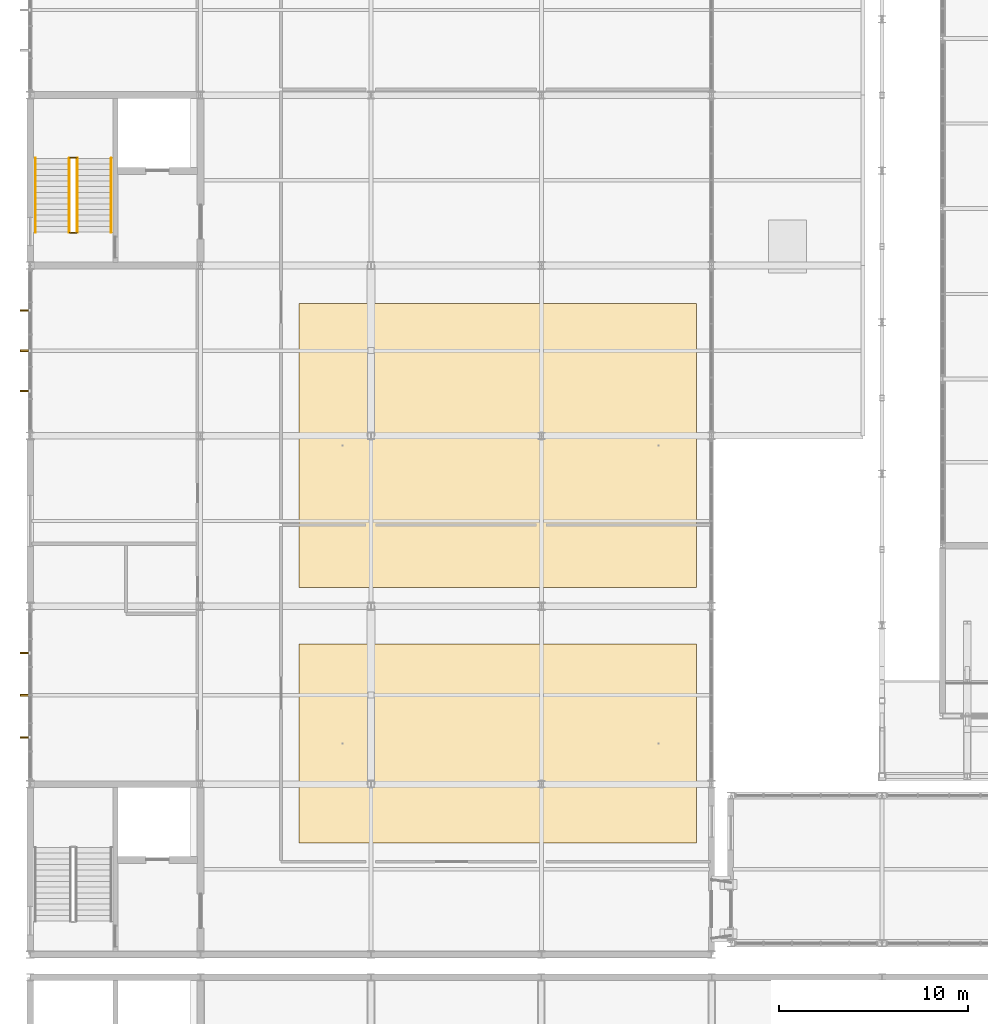
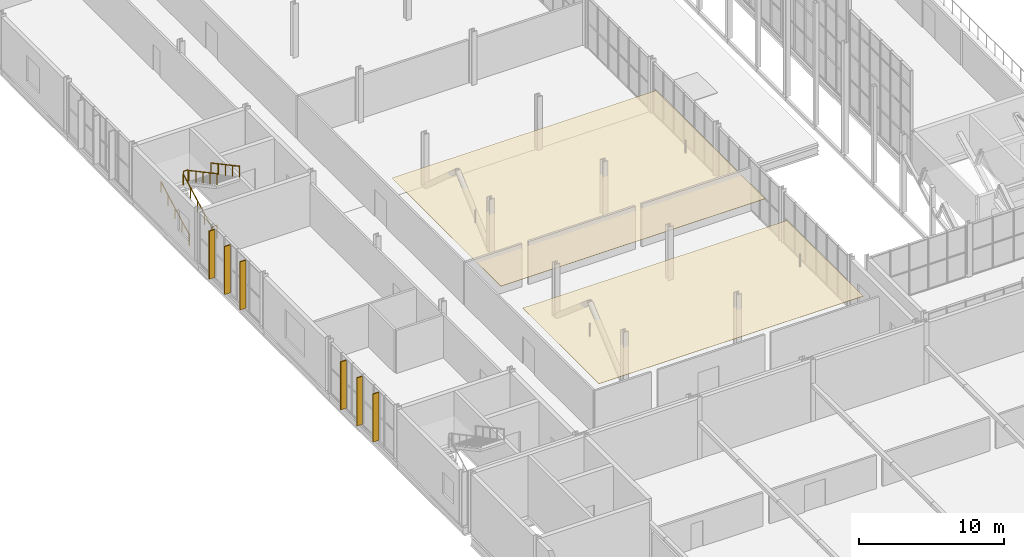
# One storey, part 129 of 134: 6 railings, 6 shading devices, 2 coverings.
"""IFC4 building model written with IfcOpenShell, lengths in metres."""

from ifc_helpers import new_model, si_unit, direction, frame, origin, origin_2d, place, context, subcontext, project, spatial, polyline, rectangle, circle, outline, extrude, material, layer, layer_set, type_object, element, save


model = new_model("IFC4")

# Units and contexts
model_context = context("Model", 3, precision=1e-05, world=origin(), true_north=direction((0.0, 1.0)))
body_context = subcontext(model_context, "Body", "Model", "MODEL_VIEW")
ifc_project = project(units=[si_unit("LENGTHUNIT", "METRE"), si_unit("AREAUNIT", "SQUARE_METRE"), si_unit("VOLUMEUNIT", "CUBIC_METRE"), si_unit("PLANEANGLEUNIT", "RADIAN"), si_unit("MASSUNIT", "GRAM", prefix="KILO")], contexts=[model_context])

# Site, building, storey
site_placement = place(None, origin())
site = spatial("IfcSite", under=ifc_project, at=site_placement, CompositionType="ELEMENT")
building_placement = place(site_placement, origin())
building = spatial("IfcBuilding", under=site, at=building_placement, Name="Cazmaro Siding Exhibition Halls", CompositionType="ELEMENT")
storey_placement = place(building_placement, frame((0.0, 0.0, 12.0)))
storey = spatial("IfcBuildingStorey", under=building, at=storey_placement, Name="L02", CompositionType="ELEMENT", Elevation=12.0)

# Coverings
ifc_material_1 = material(Name="Perforated Micro-Slotted Acoustic Timber Ceiling Cloud", Category="wood")
ifc_layer = layer(ifc_material_1, 0.02490234375)
ifc_layer_set = layer_set([ifc_layer], Name="Perforated Micro-Slotted Acoustic Timber Ceiling Cloud")
covering_type = type_object("IfcCoveringType", Name="COV-CEIL-01", PredefinedType="CEILING", material=ifc_layer_set)
covering_1_placement = place(storey_placement, frame((0.0, 0.0, 3.199951171875)))
element("IfcCovering", 1, at=covering_1_placement, inside=storey, type_object=covering_type, Name="Acoustic Timber Ceiling Cloud 005", PredefinedType="CEILING", context=body_context, shape_type="SweptSolid", body=[
    extrude(outline(polyline([(14.199951171875, 60.5), (35.199951171875, 60.5), (35.199951171875, 71.0), (14.199951171875, 71.0), (14.199951171875, 60.5)])), origin(), (0.0, 0.0, 1.0), 0.025146484375),
])
covering_2_placement = place(storey_placement, frame((0.0, 0.0, 3.199951171875)))
element("IfcCovering", 2, at=covering_2_placement, inside=storey, type_object=covering_type, Name="Acoustic Timber Ceiling Cloud 006", PredefinedType="CEILING", context=body_context, shape_type="SweptSolid", body=[
    extrude(outline(polyline([(14.199951171875, 74.0), (35.199951171875, 74.0), (35.199951171875, 89.0), (14.199951171875, 89.0), (14.199951171875, 74.0)])), origin(), (0.0, 0.0, 1.0), 0.025146484375),
])

# Railings
ifc_material_2 = material(Name="Painted Steel Stairwell Guardrail", Category="steel")
railing_type_1 = type_object("IfcRailingType", Name="RL-GRD-01", PredefinedType="GUARDRAIL", material=ifc_material_2)
for number, where, name in (
    (3, (2.094970703125, 92.739990234375, 0.0), "Core C8 L02 Landing Slot Guard RL-GRD-01 RL-SG038"),
    (4, (2.094970703125, 96.699951171875, 2.25), "ST-20 Mid-Landing Slot Guard RL-GRD-01 RL-SG039"),
):
    element("IfcRailing", number, at=place(storey_placement, frame(where)), inside=storey, type_object=railing_type_1, Name=name, PredefinedType="GUARDRAIL", context=body_context, shape_type="SweptSolid", body=[
        extrude(circle(Radius=0.02392578125, at=origin_2d()), frame((0.0, 0.0, 1.09619140625), z_axis=(1.0, 0.0, 0.0), x_axis=(0.0, 1.0, 0.0)), (0.0, 0.0, 1.0), 0.364990234375),
        extrude(circle(Radius=0.02099609375, at=origin_2d()), origin(), (0.0, 0.0, 1.0), 1.072021484375),
        extrude(circle(Radius=0.02099609375, at=origin_2d()), frame((0.364990234375, 0.0, 0.0)), (0.0, 0.0, 1.0), 1.072021484375),
    ])
ifc_material_3 = material(Name="Brushed Stainless Steel Tubular Handrail", Category="steel")
railing_type_2 = type_object("IfcRailingType", Name="RL-HR-01", PredefinedType="HANDRAIL", material=ifc_material_3)
railing_1_placement = place(storey_placement, frame((0.280029296875, 92.760009765625, 0.160888671875)))
element("IfcRailing", 5, at=railing_1_placement, inside=storey, type_object=railing_type_2, Name="ST-20 Flight 1 Handrail 1", PredefinedType="HANDRAIL", context=body_context, shape_type="SweptSolid", body=[
    extrude(circle(Radius=0.02392578125, at=origin_2d()), frame((0.0, 0.0, 0.89599609375), z_axis=(0.0, 0.881491454809, 0.472199973632), x_axis=(-1.0, 0.0, 0.0)), (0.0, 0.0, 1.0), 4.42431640625),
    extrude(circle(Radius=0.02099609375, at=origin_2d()), origin(), (0.0, 0.0, 1.0), 0.871826171875),
    extrude(circle(Radius=0.02099609375, at=origin_2d()), frame((0.0, 0.97509765625, 0.522216796875)), (0.0, 0.0, 1.0), 0.871826171875),
    extrude(circle(Radius=0.02099609375, at=origin_2d()), frame((0.0, 1.949951171875, 1.04443359375)), (0.0, 0.0, 1.0), 0.871826171875),
    extrude(circle(Radius=0.02099609375, at=origin_2d()), frame((0.0, 2.9248046875, 1.56689453125)), (0.0, 0.0, 1.0), 0.871826171875),
    extrude(circle(Radius=0.02099609375, at=origin_2d()), frame((0.0, 3.89990234375, 2.089111328125)), (0.0, 0.0, 1.0), 0.871826171875),
])
railing_2_placement = place(storey_placement, frame((2.4951171875, 96.659912109375, 2.410888671875)))
element("IfcRailing", 6, at=railing_2_placement, inside=storey, type_object=railing_type_2, Name="ST-20 Flight 2 Handrail 1", PredefinedType="HANDRAIL", context=body_context, shape_type="SweptSolid", body=[
    extrude(circle(Radius=0.02392578125, at=origin_2d()), frame((0.0, 0.0, 0.89599609375), z_axis=(0.0, -0.881491454809, 0.472199973632), x_axis=(1.0, 0.0, 0.0)), (0.0, 0.0, 1.0), 4.42431640625),
    extrude(circle(Radius=0.02099609375, at=origin_2d()), origin(), (0.0, 0.0, 1.0), 0.871826171875),
    extrude(circle(Radius=0.02099609375, at=origin_2d()), frame((0.0, -0.97509765625, 0.522216796875)), (0.0, 0.0, 1.0), 0.871826171875),
    extrude(circle(Radius=0.02099609375, at=origin_2d()), frame((0.0, -1.949951171875, 1.04443359375)), (0.0, 0.0, 1.0), 0.871826171875),
    extrude(circle(Radius=0.02099609375, at=origin_2d()), frame((0.0, -2.9248046875, 1.56689453125)), (0.0, 0.0, 1.0), 0.871826171875),
    extrude(circle(Radius=0.02099609375, at=origin_2d()), frame((0.0, -3.89990234375, 2.089111328125)), (0.0, 0.0, 1.0), 0.871826171875),
])
railing_3_placement = place(storey_placement, frame((2.06005859375, 92.760009765625, 0.160888671875)))
element("IfcRailing", 7, at=railing_3_placement, inside=storey, type_object=railing_type_2, Name="ST-20 Flight 1 Handrail 2", PredefinedType="HANDRAIL", context=body_context, shape_type="SweptSolid", body=[
    extrude(circle(Radius=0.02392578125, at=origin_2d()), frame((0.0, 0.0, 0.89599609375), z_axis=(0.0, 0.881491454809, 0.472199973632), x_axis=(-1.0, 0.0, 0.0)), (0.0, 0.0, 1.0), 4.42431640625),
    extrude(circle(Radius=0.02099609375, at=origin_2d()), origin(), (0.0, 0.0, 1.0), 0.871826171875),
    extrude(circle(Radius=0.02099609375, at=origin_2d()), frame((0.0, 0.97509765625, 0.522216796875)), (0.0, 0.0, 1.0), 0.871826171875),
    extrude(circle(Radius=0.02099609375, at=origin_2d()), frame((0.0, 1.949951171875, 1.04443359375)), (0.0, 0.0, 1.0), 0.871826171875),
    extrude(circle(Radius=0.02099609375, at=origin_2d()), frame((0.0, 2.9248046875, 1.56689453125)), (0.0, 0.0, 1.0), 0.871826171875),
    extrude(circle(Radius=0.02099609375, at=origin_2d()), frame((0.0, 3.89990234375, 2.089111328125)), (0.0, 0.0, 1.0), 0.871826171875),
])
railing_4_placement = place(storey_placement, frame((4.27490234375, 96.659912109375, 2.410888671875)))
element("IfcRailing", 8, at=railing_4_placement, inside=storey, type_object=railing_type_2, Name="ST-20 Flight 2 Handrail 2", PredefinedType="HANDRAIL", context=body_context, shape_type="SweptSolid", body=[
    extrude(circle(Radius=0.02392578125, at=origin_2d()), frame((0.0, 0.0, 0.89599609375), z_axis=(0.0, -0.881491454809, 0.472199973632), x_axis=(1.0, 0.0, 0.0)), (0.0, 0.0, 1.0), 4.42431640625),
    extrude(circle(Radius=0.02099609375, at=origin_2d()), origin(), (0.0, 0.0, 1.0), 0.871826171875),
    extrude(circle(Radius=0.02099609375, at=origin_2d()), frame((0.0, -0.97509765625, 0.522216796875)), (0.0, 0.0, 1.0), 0.871826171875),
    extrude(circle(Radius=0.02099609375, at=origin_2d()), frame((0.0, -1.949951171875, 1.04443359375)), (0.0, 0.0, 1.0), 0.871826171875),
    extrude(circle(Radius=0.02099609375, at=origin_2d()), frame((0.0, -2.9248046875, 1.56689453125)), (0.0, 0.0, 1.0), 0.871826171875),
    extrude(circle(Radius=0.02099609375, at=origin_2d()), frame((0.0, -3.89990234375, 2.089111328125)), (0.0, 0.0, 1.0), 0.871826171875),
])

# Shading devices
ifc_material_4 = material(Name="Extruded Kiln-Fired Terracotta Sunshade Louver", Category="concrete")
shading_device_type = type_object("IfcShadingDeviceType", Name="SHD-TC-01", PredefinedType="USERDEFINED", material=ifc_material_4)
for number, where, z_axis, x_axis, name in (
    (9, (-0.31494140625, 66.072998046875, 0.125), (0.0, 0.0, 1.0), (1.0, 0.0, 0.0), "Extruded Terracotta Vertical Sunshade Fin SHD-01 025"),
    (10, (-0.31494140625, 68.300048828125, 0.125), (0.0, 0.0, 1.0), (1.0, 0.0, 0.0), "Extruded Terracotta Vertical Sunshade Fin SHD-01 026"),
    (11, (-0.31494140625, 70.528076171875, 0.125), (0.0, 0.0, 1.0), (1.0, 0.0, 0.0), "Extruded Terracotta Vertical Sunshade Fin SHD-01 027"),
    (12, (-0.31494140625, 84.373046875, 0.125), (0.0, 0.0, 1.0), (1.0, 0.0, 0.0), "Extruded Terracotta Vertical Sunshade Fin SHD-01 028"),
    (13, (-0.31494140625, 86.5, 0.125), (0.0, 0.0, 1.0), (1.0, 0.0, 0.0), "Extruded Terracotta Vertical Sunshade Fin SHD-01 029"),
    (14, (-0.31494140625, 88.626953125, 0.125), (0.0, 0.0, 1.0), (1.0, 0.0, 0.0), "Extruded Terracotta Vertical Sunshade Fin SHD-01 030"),
):
    element("IfcShadingDevice", number, at=place(storey_placement, frame(where, z_axis=z_axis, x_axis=x_axis)), inside=storey, type_object=shading_device_type, Name=name, ObjectType="SUNSHADE", PredefinedType="USERDEFINED", context=body_context, shape_type="SweptSolid", body=[
        extrude(rectangle(XDim=0.449951171875, YDim=0.090087890625, at=origin_2d()), origin(), (0.0, 0.0, 1.0), 4.030029296875),
    ])

save(model, "model.ifc")
